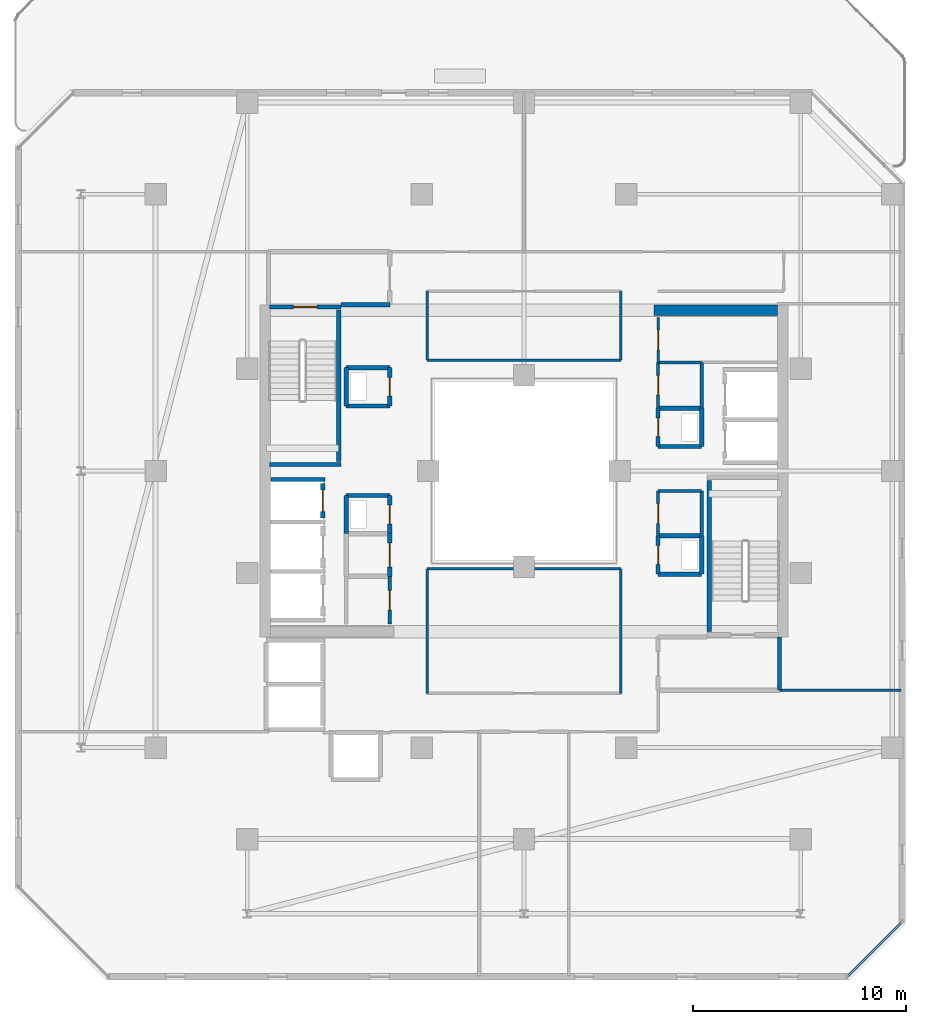
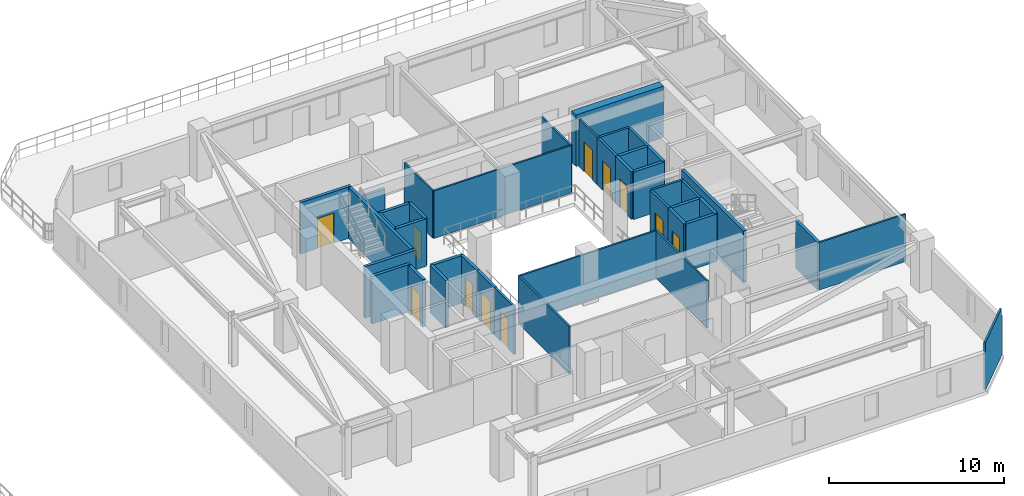
# One storey, part 25 of 32: 41 walls, 11 doors, 11 openings.
"""IFC4 building model written with IfcOpenShell, lengths in metres."""

from ifc_helpers import new_model, si_unit, direction, frame, frame_2d, origin, place, context, subcontext, project, spatial, rectangle, extrude, material, layer, layer_set, type_object, element, fill, save


model = new_model("IFC4")

# Units and contexts
model_context = context("Model", 3, precision=1e-05, world=origin(), true_north=direction((0.0, 1.0)))
body_context = subcontext(model_context, "Body", "Model", "MODEL_VIEW")
ifc_project = project(units=[si_unit("LENGTHUNIT", "METRE"), si_unit("AREAUNIT", "SQUARE_METRE"), si_unit("VOLUMEUNIT", "CUBIC_METRE"), si_unit("PLANEANGLEUNIT", "RADIAN"), si_unit("MASSUNIT", "GRAM", prefix="KILO")], contexts=[model_context])

# Site, building, storey
site_placement = place(None, origin())
site = spatial("IfcSite", under=ifc_project, at=site_placement, CompositionType="ELEMENT")
building_placement = place(site_placement, origin())
building = spatial("IfcBuilding", under=site, at=building_placement, Name="Thornwick Lancets Civic Towers", CompositionType="ELEMENT")
storey_placement = place(building_placement, frame((0.0, 0.0, 200.10009765625)))
storey = spatial("IfcBuildingStorey", under=building, at=storey_placement, Name="L53", CompositionType="ELEMENT", Elevation=200.10009765625)

# Wall, opening, door
ifc_material_1 = material(Name="Concrete blockwork C40/50", Category="masonry")
ifc_layer_1 = layer(ifc_material_1, 0.199951171875, Name="Concrete blockwork C40/50")
ifc_layer_set_1 = layer_set([ifc_layer_1], Name="Concrete blockwork C40/50")
wall_type_1 = type_object("IfcWallType", Name="WALL_COMP_200", PredefinedType="STANDARD", material=ifc_layer_set_1)
wall_1_placement = place(storey_placement, frame((79.050048828125, 24.780029296875, 0.0), z_axis=(0.0, 0.0, 1.0), x_axis=(0.0, 1.0, 0.0)))
wall_1 = element("IfcWall", 1, at=wall_1_placement, inside=storey, type_object=wall_type_1, Name="L53 Hoistway Front Wall FL-B2", PredefinedType="STANDARD", context=body_context, shape_type="SweptSolid", body=[
    extrude(rectangle(XDim=1.639892578125, YDim=0.199951171875, at=frame_2d((0.81982421875, 0.0))), origin(), (0.0, 0.0, 1.0), 3.31982421875),
])
opening_1_placement = place(wall_1_placement, frame((0.31005859375, 0.0, 0.0)))
opening_1 = element("IfcOpeningElement", 2, at=opening_1_placement, cuts=wall_1, Name="Opening LD-FL-B2", PredefinedType="OPENING", context=body_context, shape_type="SweptSolid", body=[
    extrude(rectangle(XDim=1.02001953125, YDim=2.06005859375, at=frame_2d((0.510009765625, 1.030029296875))), frame((0.0, 0.10986328125, 0.0), z_axis=(0.0, -1.0, 0.0), x_axis=(1.0, 0.0, 0.0)), (0.0, 0.0, 1.0), 0.219970703125),
])
ifc_material_2 = material(Name="Brushed bronze stainless steel", Category="steel")
door_type_1 = type_object("IfcDoorType", Name="DOOR_LIFT_SLIDE", OperationType="SLIDING_TO_LEFT", PredefinedType="DOOR", material=ifc_material_2)
door_1_placement = place(opening_1_placement, origin())
door_1 = element("IfcDoor", 3, at=door_1_placement, inside=storey, type_object=door_type_1, Name="L53 Sliding Lift Landing Door LD-FL-B2", OperationType="SLIDING_TO_LEFT", OverallHeight=2.06005859375, OverallWidth=1.02001953125, PredefinedType="DOOR", context=body_context, shape_type="SweptSolid", body=[
    extrude(rectangle(XDim=1.02001953125, YDim=2.06005859375, at=frame_2d((0.510009765625, 1.030029296875))), frame((0.0, 0.02490234375, 0.0), z_axis=(0.0, -1.0, 0.0), x_axis=(1.0, 0.0, 0.0)), (0.0, 0.0, 1.0), 0.050048828125),
])
fill(opening_1, door_1)

# Walls
wall_2_placement = place(storey_placement, frame((76.612060546875, 26.60009765625, 0.0), z_axis=(0.0, 0.0, 1.0), x_axis=(1.0, 0.0, 0.0)))
element("IfcWall", 4, at=wall_2_placement, inside=storey, type_object=wall_type_1, Name="L53 Hoistway Shaft Wall FL-B2 N", PredefinedType="STANDARD", context=body_context, shape_type="SweptSolid", body=[
    extrude(rectangle(XDim=2.535888671875, YDim=0.199951171875, at=frame_2d((1.26806640625, 0.0))), origin(), (0.0, 0.0, 1.0), 3.31982421875),
])
wall_3_placement = place(storey_placement, frame((100.5, 16.699951171875, 0.0), z_axis=(0.0, 0.0, 1.0), x_axis=(0.0, 1.0, 0.0)))
element("IfcWall", 5, at=wall_3_placement, inside=storey, type_object=wall_type_1, Name="L53 Partition L53-B-FFLOB1 E2", PredefinedType="STANDARD", context=body_context, shape_type="SweptSolid", body=[
    extrude(rectangle(XDim=2.5, YDim=0.199951171875, at=frame_2d((1.25, 0.0))), origin(), (0.0, 0.0, 1.0), 3.31982421875),
])
wall_4_placement = place(storey_placement, frame((79.89990234375, 34.800048828125, 0.0), z_axis=(0.0, 0.0, 1.0), x_axis=(1.0, 0.0, 0.0)))
element("IfcWall", 6, at=wall_4_placement, inside=storey, type_object=wall_type_1, Name="L53 Partition L53-B-FFLOB2 E1", PredefinedType="STANDARD", context=body_context, shape_type="SweptSolid", body=[
    extrude(rectangle(XDim=2.300048828125, YDim=0.199951171875, at=frame_2d((1.14990234375, 0.0))), origin(), (0.0, 0.0, 1.0), 2.52490234375),
])
wall_5_placement = place(storey_placement, frame((94.800048828125, 28.14990234375, 0.0), z_axis=(0.0, 0.0, 1.0), x_axis=(1.0, 0.0, 0.0)))
element("IfcWall", 7, at=wall_5_placement, inside=storey, type_object=wall_type_1, Name="L53 Partition L53-B-DUCT1 E1", PredefinedType="STANDARD", context=body_context, shape_type="SweptSolid", body=[
    extrude(rectangle(XDim=2.050048828125, YDim=0.199951171875, at=frame_2d((1.02490234375, 0.0))), origin(), (0.0, 0.0, 1.0), 3.31982421875),
])
wall_6_placement = place(storey_placement, frame((96.85009765625, 28.14990234375, 0.0), z_axis=(0.0, 0.0, 1.0), x_axis=(0.0, 1.0, 0.0)))
element("IfcWall", 8, at=wall_6_placement, inside=storey, type_object=wall_type_1, Name="L53 Partition L53-B-DUCT1 E2", PredefinedType="STANDARD", context=body_context, shape_type="SweptSolid", body=[
    extrude(rectangle(XDim=1.800048828125, YDim=0.199951171875, at=frame_2d((0.89990234375, 0.0))), origin(), (0.0, 0.0, 1.0), 3.31982421875),
])
wall_7_placement = place(storey_placement, frame((96.85009765625, 29.949951171875, 0.0), z_axis=(0.0, 0.0, 1.0), x_axis=(-1.0, 0.0, 0.0)))
element("IfcWall", 9, at=wall_7_placement, inside=storey, type_object=wall_type_1, Name="L53 Partition L53-B-DUCT1 E3", PredefinedType="STANDARD", context=body_context, shape_type="SweptSolid", body=[
    extrude(rectangle(XDim=2.050048828125, YDim=0.199951171875, at=frame_2d((1.02490234375, 0.0))), origin(), (0.0, 0.0, 1.0), 3.31982421875),
])

# Wall, opening, door
wall_8_placement = place(storey_placement, frame((94.800048828125, 29.949951171875, 0.0), z_axis=(0.0, 0.0, 1.0), x_axis=(0.0, -1.0, 0.0)))
wall_8 = element("IfcWall", 10, at=wall_8_placement, inside=storey, type_object=wall_type_1, Name="L53 Partition L53-B-DUCT1 E4", PredefinedType="STANDARD", context=body_context, shape_type="SweptSolid", body=[
    extrude(rectangle(XDim=1.800048828125, YDim=0.199951171875, at=frame_2d((0.89990234375, 0.0))), origin(), (0.0, 0.0, 1.0), 3.31982421875),
])
opening_2_placement = place(wall_8_placement, frame((0.4599609375, 0.0, 0.0)))
opening_2 = element("IfcOpeningElement", 11, at=opening_2_placement, cuts=wall_8, Name="Opening D-L53-2358", PredefinedType="OPENING", context=body_context, shape_type="SweptSolid", body=[
    extrude(rectangle(XDim=0.8798828125, YDim=2.0400390625, at=frame_2d((0.43994140625, 1.02001953125))), frame((0.0, 0.10986328125, 0.0), z_axis=(0.0, -1.0, 0.0), x_axis=(1.0, 0.0, 0.0)), (0.0, 0.0, 1.0), 0.219970703125),
])
ifc_material_3 = material(Name="Steel riser access doorset", Category="steel")
door_type_2 = type_object("IfcDoorType", Name="DOOR_RISER_850", OperationType="NOTDEFINED", PredefinedType="DOOR", material=ifc_material_3)
door_2_placement = place(opening_2_placement, origin())
door_2 = element("IfcDoor", 12, at=door_2_placement, inside=storey, type_object=door_type_2, Name="L53 East Service Duct 1 Door", OperationType="SINGLE_SWING_LEFT", OverallHeight=2.0400390625, OverallWidth=0.8798828125, PredefinedType="DOOR", context=body_context, shape_type="SweptSolid", body=[
    extrude(rectangle(XDim=0.8798828125, YDim=2.0400390625, at=frame_2d((0.43994140625, 1.02001953125))), frame((0.0, 0.02490234375, 0.0), z_axis=(0.0, -1.0, 0.0), x_axis=(1.0, 0.0, 0.0)), (0.0, 0.0, 1.0), 0.050048828125),
])
fill(opening_2, door_2)

# Walls
wall_9_placement = place(storey_placement, frame((94.800048828125, 22.14990234375, 0.0), z_axis=(0.0, 0.0, 1.0), x_axis=(1.0, 0.0, 0.0)))
element("IfcWall", 13, at=wall_9_placement, inside=storey, type_object=wall_type_1, Name="L53 Partition L53-B-RISER1 E1", PredefinedType="STANDARD", context=body_context, shape_type="SweptSolid", body=[
    extrude(rectangle(XDim=2.050048828125, YDim=0.199951171875, at=frame_2d((1.02490234375, 0.0))), origin(), (0.0, 0.0, 1.0), 3.31982421875),
])
wall_10_placement = place(storey_placement, frame((96.85009765625, 22.14990234375, 0.0), z_axis=(0.0, 0.0, 1.0), x_axis=(0.0, 1.0, 0.0)))
element("IfcWall", 14, at=wall_10_placement, inside=storey, type_object=wall_type_1, Name="L53 Partition L53-B-RISER1 E2", PredefinedType="STANDARD", context=body_context, shape_type="SweptSolid", body=[
    extrude(rectangle(XDim=1.800048828125, YDim=0.199951171875, at=frame_2d((0.89990234375, 0.0))), origin(), (0.0, 0.0, 1.0), 3.31982421875),
])
wall_11_placement = place(storey_placement, frame((96.85009765625, 23.949951171875, 0.0), z_axis=(0.0, 0.0, 1.0), x_axis=(-1.0, 0.0, 0.0)))
element("IfcWall", 15, at=wall_11_placement, inside=storey, type_object=wall_type_1, Name="L53 Partition L53-B-RISER1 E3", PredefinedType="STANDARD", context=body_context, shape_type="SweptSolid", body=[
    extrude(rectangle(XDim=2.050048828125, YDim=0.199951171875, at=frame_2d((1.02490234375, 0.0))), origin(), (0.0, 0.0, 1.0), 3.31982421875),
])

# Wall, opening, door
wall_12_placement = place(storey_placement, frame((94.800048828125, 23.949951171875, 0.0), z_axis=(0.0, 0.0, 1.0), x_axis=(0.0, -1.0, 0.0)))
wall_12 = element("IfcWall", 16, at=wall_12_placement, inside=storey, type_object=wall_type_1, Name="L53 Partition L53-B-RISER1 E4", PredefinedType="STANDARD", context=body_context, shape_type="SweptSolid", body=[
    extrude(rectangle(XDim=1.800048828125, YDim=0.199951171875, at=frame_2d((0.89990234375, 0.0))), origin(), (0.0, 0.0, 1.0), 3.31982421875),
])
opening_3_placement = place(wall_12_placement, frame((0.4599609375, 0.0, 0.0)))
opening_3 = element("IfcOpeningElement", 17, at=opening_3_placement, cuts=wall_12, Name="Opening D-L53-2359", PredefinedType="OPENING", context=body_context, shape_type="SweptSolid", body=[
    extrude(rectangle(XDim=0.8798828125, YDim=2.0400390625, at=frame_2d((0.43994140625, 1.02001953125))), frame((0.0, 0.10986328125, 0.0), z_axis=(0.0, -1.0, 0.0), x_axis=(1.0, 0.0, 0.0)), (0.0, 0.0, 1.0), 0.219970703125),
])
door_3_placement = place(opening_3_placement, origin())
door_3 = element("IfcDoor", 18, at=door_3_placement, inside=storey, type_object=door_type_2, Name="L53 East Electrical Riser 1 Door", OperationType="SINGLE_SWING_RIGHT", OverallHeight=2.0400390625, OverallWidth=0.8798828125, PredefinedType="DOOR", context=body_context, shape_type="SweptSolid", body=[
    extrude(rectangle(XDim=0.8798828125, YDim=2.0400390625, at=frame_2d((0.43994140625, 1.02001953125))), frame((0.0, 0.02490234375, 0.0), z_axis=(0.0, -1.0, 0.0), x_axis=(1.0, 0.0, 0.0)), (0.0, 0.0, 1.0), 0.050048828125),
])
fill(opening_3, door_3)

wall_13_placement = place(storey_placement, frame((82.199951171875, 24.050048828125, 0.0), z_axis=(0.0, 0.0, 1.0), x_axis=(0.0, 1.0, 0.0)))
wall_13 = element("IfcWall", 19, at=wall_13_placement, inside=storey, type_object=wall_type_1, Name="L53 Partition L53-B-DUCT2 E2", PredefinedType="STANDARD", context=body_context, shape_type="SweptSolid", body=[
    extrude(rectangle(XDim=1.800048828125, YDim=0.199951171875, at=frame_2d((0.89990234375, 0.0))), origin(), (0.0, 0.0, 1.0), 3.31982421875),
])
opening_4_placement = place(wall_13_placement, frame((0.4599609375, 0.0, 0.0)))
opening_4 = element("IfcOpeningElement", 20, at=opening_4_placement, cuts=wall_13, Name="Opening D-L53-2360", PredefinedType="OPENING", context=body_context, shape_type="SweptSolid", body=[
    extrude(rectangle(XDim=0.8798828125, YDim=2.0400390625, at=frame_2d((0.43994140625, 1.02001953125))), frame((0.0, 0.10986328125, 0.0), z_axis=(0.0, -1.0, 0.0), x_axis=(1.0, 0.0, 0.0)), (0.0, 0.0, 1.0), 0.219970703125),
])
door_4_placement = place(opening_4_placement, origin())
door_4 = element("IfcDoor", 21, at=door_4_placement, inside=storey, type_object=door_type_2, Name="L53 West Service Duct 2 Door", OperationType="SINGLE_SWING_LEFT", OverallHeight=2.0400390625, OverallWidth=0.8798828125, PredefinedType="DOOR", context=body_context, shape_type="SweptSolid", body=[
    extrude(rectangle(XDim=0.8798828125, YDim=2.0400390625, at=frame_2d((0.43994140625, 1.02001953125))), frame((0.0, 0.02490234375, 0.0), z_axis=(0.0, -1.0, 0.0), x_axis=(1.0, 0.0, 0.0)), (0.0, 0.0, 1.0), 0.050048828125),
])
fill(opening_4, door_4)

# Walls
wall_14_placement = place(storey_placement, frame((82.199951171875, 25.85009765625, 0.0), z_axis=(0.0, 0.0, 1.0), x_axis=(-1.0, 0.0, 0.0)))
element("IfcWall", 22, at=wall_14_placement, inside=storey, type_object=wall_type_1, Name="L53 Partition L53-B-DUCT2 E3", PredefinedType="STANDARD", context=body_context, shape_type="SweptSolid", body=[
    extrude(rectangle(XDim=2.050048828125, YDim=0.199951171875, at=frame_2d((1.02490234375, 0.0))), origin(), (0.0, 0.0, 1.0), 3.31982421875),
])
wall_15_placement = place(storey_placement, frame((80.14990234375, 25.85009765625, 0.0), z_axis=(0.0, 0.0, 1.0), x_axis=(0.0, -1.0, 0.0)))
element("IfcWall", 23, at=wall_15_placement, inside=storey, type_object=wall_type_1, Name="L53 Partition L53-B-DUCT2 E4", PredefinedType="STANDARD", context=body_context, shape_type="SweptSolid", body=[
    extrude(rectangle(XDim=1.800048828125, YDim=0.199951171875, at=frame_2d((0.89990234375, 0.0))), origin(), (0.0, 0.0, 1.0), 3.31982421875),
])
wall_16_placement = place(storey_placement, frame((80.14990234375, 30.050048828125, 0.0), z_axis=(0.0, 0.0, 1.0), x_axis=(1.0, 0.0, 0.0)))
element("IfcWall", 24, at=wall_16_placement, inside=storey, type_object=wall_type_1, Name="L53 Partition L53-B-RISER2 E1", PredefinedType="STANDARD", context=body_context, shape_type="SweptSolid", body=[
    extrude(rectangle(XDim=2.050048828125, YDim=0.199951171875, at=frame_2d((1.02490234375, 0.0))), origin(), (0.0, 0.0, 1.0), 3.31982421875),
])

# Wall, opening, door
wall_17_placement = place(storey_placement, frame((82.199951171875, 30.050048828125, 0.0), z_axis=(0.0, 0.0, 1.0), x_axis=(0.0, 1.0, 0.0)))
wall_17 = element("IfcWall", 25, at=wall_17_placement, inside=storey, type_object=wall_type_1, Name="L53 Partition L53-B-RISER2 E2", PredefinedType="STANDARD", context=body_context, shape_type="SweptSolid", body=[
    extrude(rectangle(XDim=1.800048828125, YDim=0.199951171875, at=frame_2d((0.89990234375, 0.0))), origin(), (0.0, 0.0, 1.0), 3.31982421875),
])
opening_5_placement = place(wall_17_placement, frame((0.4599609375, 0.0, 0.0)))
opening_5 = element("IfcOpeningElement", 26, at=opening_5_placement, cuts=wall_17, Name="Opening D-L53-2361", PredefinedType="OPENING", context=body_context, shape_type="SweptSolid", body=[
    extrude(rectangle(XDim=0.8798828125, YDim=2.0400390625, at=frame_2d((0.43994140625, 1.02001953125))), frame((0.0, 0.10986328125, 0.0), z_axis=(0.0, -1.0, 0.0), x_axis=(1.0, 0.0, 0.0)), (0.0, 0.0, 1.0), 0.219970703125),
])
door_5_placement = place(opening_5_placement, origin())
door_5 = element("IfcDoor", 27, at=door_5_placement, inside=storey, type_object=door_type_2, Name="L53 West Service Riser 2 Door", OperationType="SINGLE_SWING_RIGHT", OverallHeight=2.0400390625, OverallWidth=0.8798828125, PredefinedType="DOOR", context=body_context, shape_type="SweptSolid", body=[
    extrude(rectangle(XDim=0.8798828125, YDim=2.0400390625, at=frame_2d((0.43994140625, 1.02001953125))), frame((0.0, 0.02490234375, 0.0), z_axis=(0.0, -1.0, 0.0), x_axis=(1.0, 0.0, 0.0)), (0.0, 0.0, 1.0), 0.050048828125),
])
fill(opening_5, door_5)

# Walls
wall_18_placement = place(storey_placement, frame((82.199951171875, 31.85009765625, 0.0), z_axis=(0.0, 0.0, 1.0), x_axis=(-1.0, 0.0, 0.0)))
element("IfcWall", 28, at=wall_18_placement, inside=storey, type_object=wall_type_1, Name="L53 Partition L53-B-RISER2 E3", PredefinedType="STANDARD", context=body_context, shape_type="SweptSolid", body=[
    extrude(rectangle(XDim=2.050048828125, YDim=0.199951171875, at=frame_2d((1.02490234375, 0.0))), origin(), (0.0, 0.0, 1.0), 3.31982421875),
])
wall_19_placement = place(storey_placement, frame((80.14990234375, 31.85009765625, 0.0), z_axis=(0.0, 0.0, 1.0), x_axis=(0.0, -1.0, 0.0)))
element("IfcWall", 29, at=wall_19_placement, inside=storey, type_object=wall_type_1, Name="L53 Partition L53-B-RISER2 E4", PredefinedType="STANDARD", context=body_context, shape_type="SweptSolid", body=[
    extrude(rectangle(XDim=1.800048828125, YDim=0.199951171875, at=frame_2d((0.89990234375, 0.0))), origin(), (0.0, 0.0, 1.0), 3.31982421875),
])

# Wall, opening, door
wall_20_placement = place(storey_placement, frame((82.199951171875, 24.050048828125, 0.0), z_axis=(0.0, 0.0, 1.0), x_axis=(0.0, -1.0, 0.0)))
wall_20 = element("IfcWall", 30, at=wall_20_placement, inside=storey, type_object=wall_type_1, Name="L53 Partition L53-B-STR E3", PredefinedType="STANDARD", context=body_context, shape_type="SweptSolid", body=[
    extrude(rectangle(XDim=2.0, YDim=0.199951171875, at=frame_2d((1.0, 0.0))), origin(), (0.0, 0.0, 1.0), 3.31982421875),
])
opening_6_placement = place(wall_20_placement, frame((0.425048828125, 0.0, 0.0)))
opening_6 = element("IfcOpeningElement", 31, at=opening_6_placement, cuts=wall_20, Name="Opening D-L53-2366", PredefinedType="OPENING", context=body_context, shape_type="SweptSolid", body=[
    extrude(rectangle(XDim=1.14990234375, YDim=2.10009765625, at=frame_2d((0.574951171875, 1.050048828125))), frame((0.0, 0.10986328125, 0.0), z_axis=(0.0, -1.0, 0.0), x_axis=(1.0, 0.0, 0.0)), (0.0, 0.0, 1.0), 0.219970703125),
])
ifc_material_4 = material(Name="Glazed fire-resisting steel", Category="steel")
door_type_3 = type_object("IfcDoorType", Name="DOOR_LOBBY_FD60", OperationType="NOTDEFINED", PredefinedType="DOOR", material=ifc_material_4)
door_6_placement = place(opening_6_placement, origin())
door_6 = element("IfcDoor", 32, at=door_6_placement, inside=storey, type_object=door_type_3, Name="L53 Tower B Core Records Store Door", OperationType="SINGLE_SWING_LEFT", OverallHeight=2.10009765625, OverallWidth=1.14990234375, PredefinedType="DOOR", context=body_context, shape_type="SweptSolid", body=[
    extrude(rectangle(XDim=1.14990234375, YDim=2.10009765625, at=frame_2d((0.574951171875, 1.050048828125))), frame((0.0, 0.02490234375, 0.0), z_axis=(0.0, -1.0, 0.0), x_axis=(1.0, 0.0, 0.0)), (0.0, 0.0, 1.0), 0.050048828125),
])
fill(opening_6, door_6)

# Wall
ifc_material_5 = material(Name="Concrete C50/60", Category="concrete")
ifc_layer_2 = layer(ifc_material_5, 0.5, Name="Concrete C50/60")
ifc_layer_set_2 = layer_set([ifc_layer_2], Name="Concrete C50/60")
wall_type_2 = type_object("IfcWallType", Name="WALL_CORE_500", PredefinedType="SHEAR", material=ifc_layer_set_2)
wall_21_placement = place(storey_placement, frame((94.60009765625, 34.550048828125, 0.0), z_axis=(0.0, 0.0, 1.0), x_axis=(1.0, 0.0, 0.0)))
element("IfcWall", 33, at=wall_21_placement, inside=storey, type_object=wall_type_2, Name="L53 Split Core B1 Shear Wall N", PredefinedType="SHEAR", context=body_context, shape_type="SweptSolid", body=[
    extrude(rectangle(XDim=5.7998046875, YDim=0.5, at=frame_2d((2.89990234375, 0.0))), origin(), (0.0, 0.0, 1.0), 3.599853515625),
])

# Wall, opening, door
ifc_material_6 = material(Name="Acoustic gypsum board partition")
ifc_layer_3 = layer(ifc_material_6, 0.1201171875, Name="Acoustic gypsum board partition")
ifc_layer_set_3 = layer_set([ifc_layer_3], Name="Acoustic gypsum board partition")
wall_type_3 = type_object("IfcWallType", Name="WALL_PART_120", PredefinedType="PARTITIONING", material=ifc_layer_set_3)
wall_22_placement = place(storey_placement, frame((94.800048828125, 32.10009765625, 0.0), z_axis=(0.0, 0.0, 1.0), x_axis=(0.0, 1.0, 0.0)))
wall_22 = element("IfcWall", 34, at=wall_22_placement, inside=storey, type_object=wall_type_3, Name="L53 Partition L53-B-ITR E1", PredefinedType="PARTITIONING", context=body_context, shape_type="SweptSolid", body=[
    extrude(rectangle(XDim=2.099853515625, YDim=0.1201171875, at=frame_2d((1.0498046875, 0.0))), origin(), (0.0, 0.0, 1.0), 3.31982421875),
])
opening_7_placement = place(wall_22_placement, frame((0.574951171875, 0.0, 0.0)))
opening_7 = element("IfcOpeningElement", 35, at=opening_7_placement, cuts=wall_22, Name="Opening D-L53-2364", PredefinedType="OPENING", context=body_context, shape_type="SweptSolid", body=[
    extrude(rectangle(XDim=0.949951171875, YDim=2.10009765625, at=frame_2d((0.47509765625, 1.050048828125))), frame((0.0, 0.070068359375, 0.0), z_axis=(0.0, -1.0, 0.0), x_axis=(1.0, 0.0, 0.0)), (0.0, 0.0, 1.0), 0.14013671875),
])
ifc_material_7 = material(Name="European oak acoustic doorset")
door_type_4 = type_object("IfcDoorType", Name="DOOR_OFFICE_950", OperationType="NOTDEFINED", PredefinedType="DOOR", material=ifc_material_7)
door_7_placement = place(opening_7_placement, origin())
door_7 = element("IfcDoor", 36, at=door_7_placement, inside=storey, type_object=door_type_4, Name="L53 Tower B Comms Patch Room Door", OperationType="SINGLE_SWING_LEFT", OverallHeight=2.10009765625, OverallWidth=0.949951171875, PredefinedType="DOOR", context=body_context, shape_type="SweptSolid", body=[
    extrude(rectangle(XDim=0.949951171875, YDim=2.10009765625, at=frame_2d((0.47509765625, 1.050048828125))), frame((0.0, 0.02490234375, 0.0), z_axis=(0.0, -1.0, 0.0), x_axis=(1.0, 0.0, 0.0)), (0.0, 0.0, 1.0), 0.050048828125),
])
fill(opening_7, door_7)

# Walls
wall_23_placement = place(storey_placement, frame((100.5, 16.699951171875, 0.0), z_axis=(0.0, 0.0, 1.0), x_axis=(1.0, 0.0, 0.0)))
element("IfcWall", 37, at=wall_23_placement, inside=storey, type_object=wall_type_3, Name="L53 Partition L53-B-W1 E7", PredefinedType="PARTITIONING", context=body_context, shape_type="SweptSolid", body=[
    extrude(rectangle(XDim=5.719970703125, YDim=0.1201171875, at=frame_2d((2.85986328125, 0.0))), origin(), (0.0, 0.0, 1.0), 3.31982421875),
])
wall_24_placement = place(storey_placement, frame((106.219970703125, 5.774658203125, 0.0), z_axis=(0.0, 0.0, 1.0), x_axis=(-0.707106781187, -0.707106781187, 0.0)))
element("IfcWall", 38, at=wall_24_placement, inside=storey, type_object=wall_type_3, Name="L53 Partition L53-B-W1 E9", PredefinedType="PARTITIONING", context=body_context, shape_type="SweptSolid", body=[
    extrude(rectangle(XDim=3.52783203125, YDim=0.1201171875, at=frame_2d((1.763916015625, 0.0))), origin(), (0.0, 0.0, 1.0), 3.31982421875),
])
wall_25_placement = place(storey_placement, frame((83.949951171875, 16.550048828125, 0.0), z_axis=(0.0, 0.0, 1.0), x_axis=(0.0, 1.0, 0.0)))
element("IfcWall", 39, at=wall_25_placement, inside=storey, type_object=wall_type_3, Name="L53 Partition L53-B-W3 E1", PredefinedType="PARTITIONING", context=body_context, shape_type="SweptSolid", body=[
    extrude(rectangle(XDim=5.849853515625, YDim=0.1201171875, at=frame_2d((2.9248046875, 0.0))), origin(), (0.0, 0.0, 1.0), 3.31982421875),
])
wall_26_placement = place(storey_placement, frame((83.949951171875, 22.39990234375, 0.0), z_axis=(0.0, 0.0, 1.0), x_axis=(1.0, 0.0, 0.0)))
element("IfcWall", 40, at=wall_26_placement, inside=storey, type_object=wall_type_3, Name="L53 Partition L53-B-W3 E2", PredefinedType="PARTITIONING", context=body_context, shape_type="SweptSolid", body=[
    extrude(rectangle(XDim=9.10009765625, YDim=0.1201171875, at=frame_2d((4.550048828125, 0.0))), origin(), (0.0, 0.0, 1.0), 3.31982421875),
])
wall_27_placement = place(storey_placement, frame((93.050048828125, 22.39990234375, 0.0), z_axis=(0.0, 0.0, 1.0), x_axis=(0.0, -1.0, 0.0)))
element("IfcWall", 41, at=wall_27_placement, inside=storey, type_object=wall_type_3, Name="L53 Partition L53-B-W3 E3", PredefinedType="PARTITIONING", context=body_context, shape_type="SweptSolid", body=[
    extrude(rectangle(XDim=5.849853515625, YDim=0.1201171875, at=frame_2d((2.9248046875, 0.0))), origin(), (0.0, 0.0, 1.0), 3.31982421875),
])
for number, where, z_axis, x_axis, name in (
    (42, (83.949951171875, 32.199951171875, 0.0), (0.0, 0.0, 1.0), (0.0, 1.0, 0.0), "L53 Partition L53-B-E-ATRIUM-OFF E1"),
    (43, (93.050048828125, 35.449951171875, 0.0), (0.0, 0.0, 1.0), (0.0, -1.0, 0.0), "L53 Partition L53-B-E-ATRIUM-OFF E3"),
):
    element("IfcWall", number, at=place(storey_placement, frame(where, z_axis=z_axis, x_axis=x_axis)), inside=storey, type_object=wall_type_3, Name=name, PredefinedType="PARTITIONING", context=body_context, shape_type="SweptSolid", body=[
        extrude(rectangle(XDim=3.25, YDim=0.1201171875, at=frame_2d((1.625, 0.0))), origin(), (0.0, 0.0, 1.0), 3.31982421875),
    ])
wall_28_placement = place(storey_placement, frame((93.050048828125, 32.199951171875, 0.0), z_axis=(0.0, 0.0, 1.0), x_axis=(-1.0, 0.0, 0.0)))
element("IfcWall", 44, at=wall_28_placement, inside=storey, type_object=wall_type_3, Name="L53 Partition L53-B-E-ATRIUM-OFF E4", PredefinedType="PARTITIONING", context=body_context, shape_type="SweptSolid", body=[
    extrude(rectangle(XDim=9.10009765625, YDim=0.1201171875, at=frame_2d((4.550048828125, 0.0))), origin(), (0.0, 0.0, 1.0), 3.31982421875),
])

# Wall, opening, door
ifc_material_8 = material(Name="Twin-stud acoustic gypsum board")
ifc_layer_4 = layer(ifc_material_8, 0.14990234375, Name="Twin-stud acoustic gypsum board")
ifc_layer_set_4 = layer_set([ifc_layer_4], Name="Twin-stud acoustic gypsum board")
wall_type_4 = type_object("IfcWallType", Name="WALL_PART_150", PredefinedType="PARTITIONING", material=ifc_layer_set_4)
wall_29_placement = place(storey_placement, frame((94.800048828125, 23.949951171875, 0.0), z_axis=(0.0, 0.0, 1.0), x_axis=(0.0, 1.0, 0.0)))
wall_29 = element("IfcWall", 45, at=wall_29_placement, inside=storey, type_object=wall_type_4, Name="L53 Partition L53-B-MWC E1", PredefinedType="PARTITIONING", context=body_context, shape_type="SweptSolid", body=[
    extrude(rectangle(XDim=2.10009765625, YDim=0.14990234375, at=frame_2d((1.050048828125, 0.0))), origin(), (0.0, 0.0, 1.0), 3.31982421875),
])
opening_8_placement = place(wall_29_placement, frame((0.590087890625, 0.0, 0.0)))
opening_8 = element("IfcOpeningElement", 46, at=opening_8_placement, cuts=wall_29, Name="Opening D-L53-2362", PredefinedType="OPENING", context=body_context, shape_type="SweptSolid", body=[
    extrude(rectangle(XDim=0.919921875, YDim=2.080078125, at=frame_2d((0.4599609375, 1.0400390625))), frame((0.0, 0.0849609375, 0.0), z_axis=(0.0, -1.0, 0.0), x_axis=(1.0, 0.0, 0.0)), (0.0, 0.0, 1.0), 0.169921875),
])
ifc_material_9 = material(Name="Moisture-resistant oak doorset")
door_type_5 = type_object("IfcDoorType", Name="DOOR_WC_900", OperationType="NOTDEFINED", PredefinedType="DOOR", material=ifc_material_9)
door_8_placement = place(opening_8_placement, origin())
door_8 = element("IfcDoor", 47, at=door_8_placement, inside=storey, type_object=door_type_5, Name="L53 Tower B Male WC Door", OperationType="SINGLE_SWING_LEFT", OverallHeight=2.080078125, OverallWidth=0.919921875, PredefinedType="DOOR", context=body_context, shape_type="SweptSolid", body=[
    extrude(rectangle(XDim=0.919921875, YDim=2.080078125, at=frame_2d((0.4599609375, 1.0400390625))), frame((0.0, 0.02490234375, 0.0), z_axis=(0.0, -1.0, 0.0), x_axis=(1.0, 0.0, 0.0)), (0.0, 0.0, 1.0), 0.050048828125),
])
fill(opening_8, door_8)

# Walls
wall_30_placement = place(storey_placement, frame((94.800048828125, 26.050048828125, 0.0), z_axis=(0.0, 0.0, 1.0), x_axis=(1.0, 0.0, 0.0)))
element("IfcWall", 48, at=wall_30_placement, inside=storey, type_object=wall_type_4, Name="L53 Partition L53-B-MWC E2", PredefinedType="PARTITIONING", context=body_context, shape_type="SweptSolid", body=[
    extrude(rectangle(XDim=2.050048828125, YDim=0.14990234375, at=frame_2d((1.02490234375, 0.0))), origin(), (0.0, 0.0, 1.0), 3.31982421875),
])
wall_31_placement = place(storey_placement, frame((96.85009765625, 26.050048828125, 0.0), z_axis=(0.0, 0.0, 1.0), x_axis=(0.0, -1.0, 0.0)))
element("IfcWall", 49, at=wall_31_placement, inside=storey, type_object=wall_type_4, Name="L53 Partition L53-B-MWC E3", PredefinedType="PARTITIONING", context=body_context, shape_type="SweptSolid", body=[
    extrude(rectangle(XDim=2.10009765625, YDim=0.14990234375, at=frame_2d((1.050048828125, 0.0))), origin(), (0.0, 0.0, 1.0), 3.31982421875),
])

# Wall, opening, door
wall_32_placement = place(storey_placement, frame((94.800048828125, 29.949951171875, 0.0), z_axis=(0.0, 0.0, 1.0), x_axis=(0.0, 1.0, 0.0)))
wall_32 = element("IfcWall", 50, at=wall_32_placement, inside=storey, type_object=wall_type_4, Name="L53 Partition L53-B-FWC E1", PredefinedType="PARTITIONING", context=body_context, shape_type="SweptSolid", body=[
    extrude(rectangle(XDim=2.150146484375, YDim=0.14990234375, at=frame_2d((1.0751953125, 0.0))), origin(), (0.0, 0.0, 1.0), 3.31982421875),
])
opening_9_placement = place(wall_32_placement, frame((0.614990234375, 0.0, 0.0)))
opening_9 = element("IfcOpeningElement", 51, at=opening_9_placement, cuts=wall_32, Name="Opening D-L53-2363", PredefinedType="OPENING", context=body_context, shape_type="SweptSolid", body=[
    extrude(rectangle(XDim=0.919921875, YDim=2.080078125, at=frame_2d((0.4599609375, 1.0400390625))), frame((0.0, 0.0849609375, 0.0), z_axis=(0.0, -1.0, 0.0), x_axis=(1.0, 0.0, 0.0)), (0.0, 0.0, 1.0), 0.169921875),
])
door_9_placement = place(opening_9_placement, origin())
door_9 = element("IfcDoor", 52, at=door_9_placement, inside=storey, type_object=door_type_5, Name="L53 Tower B Female WC Door", OperationType="SINGLE_SWING_RIGHT", OverallHeight=2.080078125, OverallWidth=0.919921875, PredefinedType="DOOR", context=body_context, shape_type="SweptSolid", body=[
    extrude(rectangle(XDim=0.919921875, YDim=2.080078125, at=frame_2d((0.4599609375, 1.0400390625))), frame((0.0, 0.02490234375, 0.0), z_axis=(0.0, -1.0, 0.0), x_axis=(1.0, 0.0, 0.0)), (0.0, 0.0, 1.0), 0.050048828125),
])
fill(opening_9, door_9)

# Walls
wall_33_placement = place(storey_placement, frame((94.800048828125, 32.10009765625, 0.0), z_axis=(0.0, 0.0, 1.0), x_axis=(1.0, 0.0, 0.0)))
element("IfcWall", 53, at=wall_33_placement, inside=storey, type_object=wall_type_4, Name="L53 Partition L53-B-FWC E2", PredefinedType="PARTITIONING", context=body_context, shape_type="SweptSolid", body=[
    extrude(rectangle(XDim=2.050048828125, YDim=0.14990234375, at=frame_2d((1.02490234375, 0.0))), origin(), (0.0, 0.0, 1.0), 3.31982421875),
])
wall_34_placement = place(storey_placement, frame((96.85009765625, 32.10009765625, 0.0), z_axis=(0.0, 0.0, 1.0), x_axis=(0.0, -1.0, 0.0)))
element("IfcWall", 54, at=wall_34_placement, inside=storey, type_object=wall_type_4, Name="L53 Partition L53-B-FWC E3", PredefinedType="PARTITIONING", context=body_context, shape_type="SweptSolid", body=[
    extrude(rectangle(XDim=2.150146484375, YDim=0.14990234375, at=frame_2d((1.0751953125, 0.0))), origin(), (0.0, 0.0, 1.0), 3.31982421875),
])

# Wall, opening, door
wall_35_placement = place(storey_placement, frame((82.199951171875, 19.800048828125, 0.0), z_axis=(0.0, 0.0, 1.0), x_axis=(0.0, 1.0, 0.0)))
wall_35 = element("IfcWall", 55, at=wall_35_placement, inside=storey, type_object=wall_type_4, Name="L53 Partition L53-B-AWC E2", PredefinedType="PARTITIONING", context=body_context, shape_type="SweptSolid", body=[
    extrude(rectangle(XDim=2.25, YDim=0.14990234375, at=frame_2d((1.125, 0.0))), origin(), (0.0, 0.0, 1.0), 3.31982421875),
])
opening_10_placement = place(wall_35_placement, frame((0.6650390625, 0.0, 0.0)))
opening_10 = element("IfcOpeningElement", 56, at=opening_10_placement, cuts=wall_35, Name="Opening D-L53-2365", PredefinedType="OPENING", context=body_context, shape_type="SweptSolid", body=[
    extrude(rectangle(XDim=0.919921875, YDim=2.080078125, at=frame_2d((0.4599609375, 1.0400390625))), frame((0.0, 0.0849609375, 0.0), z_axis=(0.0, -1.0, 0.0), x_axis=(1.0, 0.0, 0.0)), (0.0, 0.0, 1.0), 0.169921875),
])
door_10_placement = place(opening_10_placement, origin())
door_10 = element("IfcDoor", 57, at=door_10_placement, inside=storey, type_object=door_type_5, Name="L53 Tower B Accessible WC Door", OperationType="SINGLE_SWING_RIGHT", OverallHeight=2.080078125, OverallWidth=0.919921875, PredefinedType="DOOR", context=body_context, shape_type="SweptSolid", body=[
    extrude(rectangle(XDim=0.919921875, YDim=2.080078125, at=frame_2d((0.4599609375, 1.0400390625))), frame((0.0, 0.02490234375, 0.0), z_axis=(0.0, -1.0, 0.0), x_axis=(1.0, 0.0, 0.0)), (0.0, 0.0, 1.0), 0.050048828125),
])
fill(opening_10, door_10)

# Wall
ifc_material_10 = material(Name="Concrete C40/50", Category="concrete")
ifc_layer_5 = layer(ifc_material_10, 0.199951171875, Name="Concrete C40/50")
ifc_layer_set_5 = layer_set([ifc_layer_5], Name="Concrete C40/50")
wall_type_5 = type_object("IfcWallType", Name="WALL_SHAFT_200", PredefinedType="SHEAR", material=ifc_layer_set_5)
wall_36_placement = place(storey_placement, frame((97.202880859375, 26.550048828125, 0.0), z_axis=(0.0, 0.0, 1.0), x_axis=(0.0, -1.0, 0.0)))
element("IfcWall", 58, at=wall_36_placement, inside=storey, type_object=wall_type_5, Name="L53 ST-B1 Fire Stair Core Wall RIGHT", PredefinedType="SHEAR", context=body_context, shape_type="SweptSolid", body=[
    extrude(rectangle(XDim=7.10009765625, YDim=0.199951171875, at=frame_2d((3.550048828125, 0.0))), origin(), (0.0, 0.0, 1.0), 3.599853515625),
])

# Wall, opening, door
wall_37_placement = place(storey_placement, frame((76.550048828125, 34.699951171875, 0.0), z_axis=(0.0, 0.0, 1.0), x_axis=(1.0, 0.0, 0.0)))
wall_37 = element("IfcWall", 59, at=wall_37_placement, inside=storey, type_object=wall_type_5, Name="L53 ST-B2 Fire Stair Core Wall NEAR", PredefinedType="SHEAR", context=body_context, shape_type="SweptSolid", body=[
    extrude(rectangle(XDim=3.349853515625, YDim=0.199951171875, at=frame_2d((1.6748046875, 0.0))), origin(), (0.0, 0.0, 1.0), 3.599853515625),
])
opening_11_placement = place(wall_37_placement, frame((1.125, 0.0, 0.0)))
opening_11 = element("IfcOpeningElement", 60, at=opening_11_placement, cuts=wall_37, Name="Opening D-ST-B2-L53", PredefinedType="OPENING", context=body_context, shape_type="SweptSolid", body=[
    extrude(rectangle(XDim=1.10009765625, YDim=2.10009765625, at=frame_2d((0.550048828125, 1.050048828125))), frame((0.0, 0.10986328125, 0.0), z_axis=(0.0, -1.0, 0.0), x_axis=(1.0, 0.0, 0.0)), (0.0, 0.0, 1.0), 0.219970703125),
])
ifc_material_11 = material(Name="Fire-resisting steel and hardwood", Category="steel")
door_type_6 = type_object("IfcDoorType", Name="DOOR_STAIR_FD60", OperationType="NOTDEFINED", PredefinedType="DOOR", material=ifc_material_11)
door_11_placement = place(opening_11_placement, origin())
door_11 = element("IfcDoor", 61, at=door_11_placement, inside=storey, type_object=door_type_6, Name="L53 ST-B2 Exit Stair Door", OperationType="SINGLE_SWING_LEFT", OverallHeight=2.10009765625, OverallWidth=1.10009765625, PredefinedType="DOOR", context=body_context, shape_type="SweptSolid", body=[
    extrude(rectangle(XDim=1.10009765625, YDim=2.10009765625, at=frame_2d((0.550048828125, 1.050048828125))), frame((0.0, 0.02490234375, 0.0), z_axis=(0.0, -1.0, 0.0), x_axis=(1.0, 0.0, 0.0)), (0.0, 0.0, 1.0), 0.050048828125),
])
fill(opening_11, door_11)

# Walls
wall_38_placement = place(storey_placement, frame((79.89990234375, 27.300048828125, 0.0), z_axis=(0.0, 0.0, 1.0), x_axis=(-1.0, 0.0, 0.0)))
element("IfcWall", 62, at=wall_38_placement, inside=storey, type_object=wall_type_5, Name="L53 ST-B2 Fire Stair Core Wall FAR", PredefinedType="SHEAR", context=body_context, shape_type="SweptSolid", body=[
    extrude(rectangle(XDim=3.349853515625, YDim=0.199951171875, at=frame_2d((1.6748046875, 0.0))), origin(), (0.0, 0.0, 1.0), 3.599853515625),
])
wall_39_placement = place(storey_placement, frame((79.797119140625, 27.449951171875, 0.0), z_axis=(0.0, 0.0, 1.0), x_axis=(0.0, 1.0, 0.0)))
element("IfcWall", 63, at=wall_39_placement, inside=storey, type_object=wall_type_5, Name="L53 ST-B2 Fire Stair Core Wall RIGHT", PredefinedType="SHEAR", context=body_context, shape_type="SweptSolid", body=[
    extrude(rectangle(XDim=7.10009765625, YDim=0.199951171875, at=frame_2d((3.550048828125, 0.0))), origin(), (0.0, 0.0, 1.0), 3.599853515625),
])

save(model, "model.ifc")
